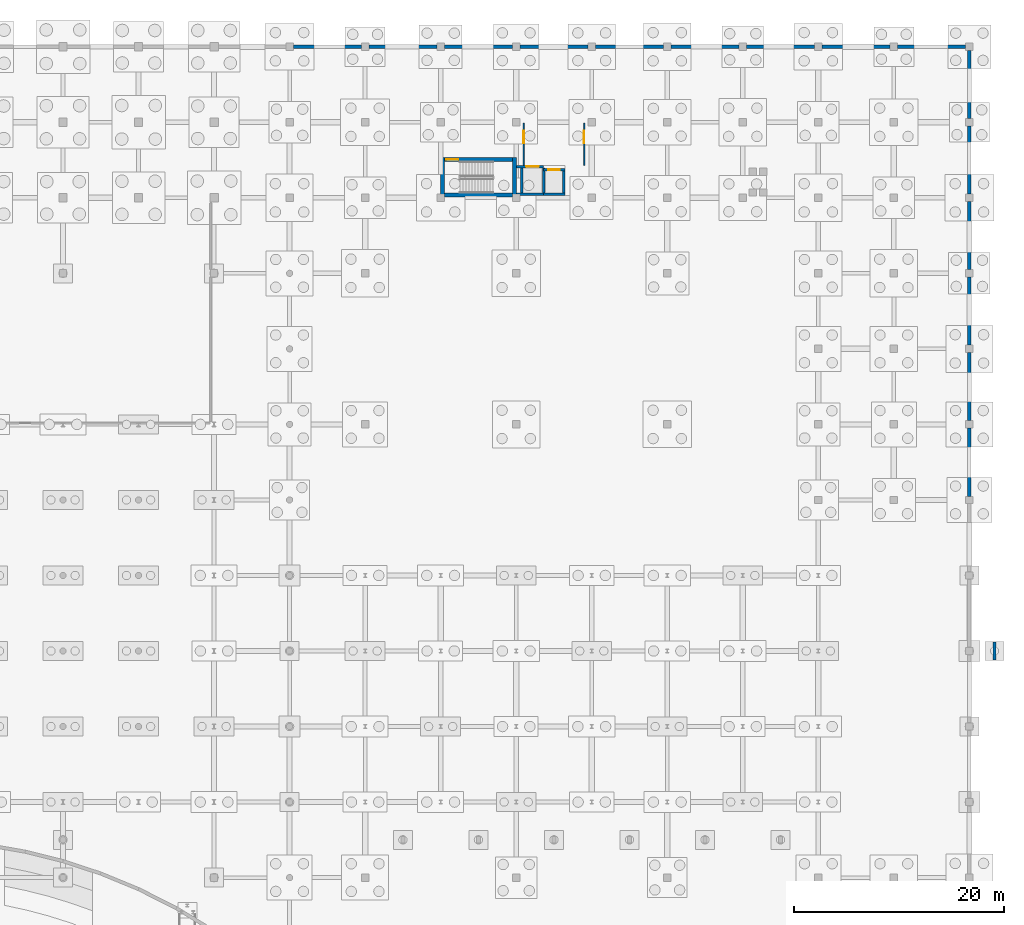
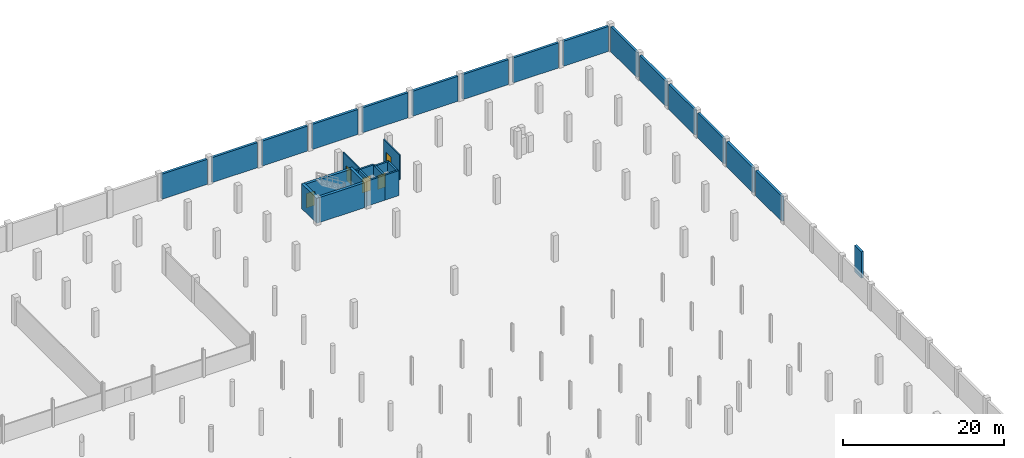
# One storey, part 46 of 56: 29 walls, 5 doors, 5 openings.
"""IFC4 building model written with IfcOpenShell, lengths in metres."""

from ifc_helpers import new_model, si_unit, direction, frame, frame_2d, origin, place, context, subcontext, project, spatial, rectangle, extrude, material, layer, layer_set, type_object, element, fill, save


model = new_model("IFC4")

# Units and contexts
model_context = context("Model", 3, precision=1e-05, world=origin(), true_north=direction((0.0, 1.0)))
body_context = subcontext(model_context, "Body", "Model", "MODEL_VIEW")
ifc_project = project(units=[si_unit("LENGTHUNIT", "METRE"), si_unit("AREAUNIT", "SQUARE_METRE"), si_unit("VOLUMEUNIT", "CUBIC_METRE"), si_unit("PLANEANGLEUNIT", "RADIAN"), si_unit("MASSUNIT", "GRAM", prefix="KILO")], contexts=[model_context])

# Site, building, storey
site_placement = place(None, origin())
site = spatial("IfcSite", under=ifc_project, at=site_placement, CompositionType="ELEMENT")
building_placement = place(site_placement, origin())
building = spatial("IfcBuilding", under=site, at=building_placement, Name="Suanplinth Sawtooth Commons", CompositionType="ELEMENT")
storey_placement = place(building_placement, frame((0.0, 0.0, -4.199951171875)))
storey = spatial("IfcBuildingStorey", under=building, at=storey_placement, Name="B1", CompositionType="ELEMENT", Elevation=-4.199951171875)

# Wall
ifc_material_1 = material(Name="Concrete C40/50", Category="concrete")
ifc_layer_1 = layer(ifc_material_1, 0.3798828125, Name="Lower high-rise RC core shear wall 380mm")
ifc_layer_set_1 = layer_set([ifc_layer_1], Name="Concrete C40/50")
wall_type_1 = type_object("IfcWallType", Name="W-CR01", PredefinedType="SHEAR", material=ifc_layer_set_1)
wall_1_placement = place(storey_placement, frame((137.14990234375, 108.260009765625, 0.0), z_axis=(0.0, 0.0, 1.0), x_axis=(1.0, 0.0, 0.0)))
element("IfcWall", 1, at=wall_1_placement, inside=storey, type_object=wall_type_1, Name="W-B1-C-B1-STS", PredefinedType="SHEAR", context=body_context, shape_type="SweptSolid", body=[
    extrude(rectangle(XDim=6.5, YDim=0.3798828125, at=frame_2d((3.25, 0.0))), origin(), (0.0, 0.0, 1.0), 3.7900390625),
])

# Wall, opening, door
wall_2_placement = place(storey_placement, frame((137.14990234375, 111.639892578125, 0.0), z_axis=(0.0, 0.0, 1.0), x_axis=(1.0, 0.0, 0.0)))
wall_2 = element("IfcWall", 2, at=wall_2_placement, inside=storey, type_object=wall_type_1, Name="W-B1-C-B1-STN", PredefinedType="SHEAR", context=body_context, shape_type="SweptSolid", body=[
    extrude(rectangle(XDim=6.5, YDim=0.3798828125, at=frame_2d((3.25, 0.0))), origin(), (0.0, 0.0, 1.0), 3.7900390625),
])
opening_1_placement = place(wall_2_placement, frame((0.179931640625, 0.0, 0.0)))
opening_1 = element("IfcOpeningElement", 3, at=opening_1_placement, cuts=wall_2, Name="Opening FD0154", PredefinedType="OPENING", context=body_context, shape_type="SweptSolid", body=[
    extrude(rectangle(XDim=1.14990234375, YDim=2.199951171875, at=frame_2d((0.574951171875, 1.10009765625))), frame((0.0, 0.204833984375, 0.0), z_axis=(0.0, -1.0, 0.0), x_axis=(1.0, 0.0, 0.0)), (0.0, 0.0, 1.0), 0.40966796875),
])
ifc_material_2 = material(Name="Teak hardwood fire-rated door assembly", Category="wood")
door_type_1 = type_object("IfcDoorType", Name="FD-01", OperationType="NOTDEFINED", PredefinedType="DOOR", material=ifc_material_2)
door_1_placement = place(opening_1_placement, frame((1.14990234375, 0.0, 0.0), z_axis=(0.0, 0.0, 1.0), x_axis=(-1.0, 0.0, 0.0)))
door_1 = element("IfcDoor", 4, at=door_1_placement, inside=storey, type_object=door_type_1, Name="Exit Stair Fire Door FD0154", OperationType="SINGLE_SWING_RIGHT", OverallHeight=2.199951171875, OverallWidth=1.14990234375, PredefinedType="DOOR", context=body_context, shape_type="SweptSolid", body=[
    extrude(rectangle(XDim=1.14990234375, YDim=2.199951171875, at=frame_2d((0.574951171875, 1.10009765625))), frame((0.0, 0.02490234375, 0.0), z_axis=(0.0, -1.0, 0.0), x_axis=(1.0, 0.0, 0.0)), (0.0, 0.0, 1.0), 0.050048828125),
])
fill(opening_1, door_1)

# Walls
for number, where, z_axis, x_axis, name in (
    (5, (136.9599609375, 108.070068359375, 0.0), (0.0, 0.0, 1.0), (0.0, 1.0, 0.0), "W-B1-C-B1-STW"),
    (6, (143.840087890625, 108.070068359375, 0.0), (0.0, 0.0, 1.0), (0.0, 1.0, 0.0), "W-B1-C-B1-STE"),
):
    element("IfcWall", number, at=place(storey_placement, frame(where, z_axis=z_axis, x_axis=x_axis)), inside=storey, type_object=wall_type_1, Name=name, PredefinedType="SHEAR", context=body_context, shape_type="SweptSolid", body=[
        extrude(rectangle(XDim=3.760009765625, YDim=0.3798828125, at=frame_2d((1.8798828125, 0.0))), origin(), (0.0, 0.0, 1.0), 3.7900390625),
    ])

# Wall, opening, door
ifc_material_3 = material(Name="Precast concrete C40/50", Category="concrete")
ifc_layer_2 = layer(ifc_material_3, 0.159912109375, Name="Fire-rated corridor and lobby wall 160mm")
ifc_layer_set_2 = layer_set([ifc_layer_2], Name="Precast concrete C40/50")
wall_type_2 = type_object("IfcWallType", Name="W-FW01", PredefinedType="PARTITIONING", material=ifc_layer_set_2)
wall_3_placement = place(storey_placement, frame((144.719970703125, 111.10009765625, 0.0), z_axis=(0.0, 0.0, 1.0), x_axis=(0.0, 1.0, 0.0)))
wall_3 = element("IfcWall", 7, at=wall_3_placement, inside=storey, type_object=wall_type_2, Name="W-B1-C-B1-LOB-W", PredefinedType="PARTITIONING", context=body_context, shape_type="SweptSolid", body=[
    extrude(rectangle(XDim=4.02001953125, YDim=0.159912109375, at=frame_2d((2.010009765625, 0.0))), origin(), (0.0, 0.0, 1.0), 3.7900390625),
])
opening_2_placement = place(wall_3_placement, frame((2.10009765625, 0.0, 0.0)))
opening_2 = element("IfcOpeningElement", 8, at=opening_2_placement, cuts=wall_3, Name="Opening FD0155", PredefinedType="OPENING", context=body_context, shape_type="SweptSolid", body=[
    extrude(rectangle(XDim=1.199951171875, YDim=2.199951171875, at=frame_2d((0.60009765625, 1.10009765625))), frame((0.0, 0.0947265625, 0.0), z_axis=(0.0, -1.0, 0.0), x_axis=(1.0, 0.0, 0.0)), (0.0, 0.0, 1.0), 0.189697265625),
])
door_type_2 = type_object("IfcDoorType", Name="FD-02", OperationType="NOTDEFINED", PredefinedType="DOOR", material=ifc_material_2)
door_2_placement = place(opening_2_placement, origin())
door_2 = element("IfcDoor", 9, at=door_2_placement, inside=storey, type_object=door_type_2, Name="Lobby Fire Door FD0155", OperationType="SINGLE_SWING_LEFT", OverallHeight=2.199951171875, OverallWidth=1.199951171875, PredefinedType="DOOR", context=body_context, shape_type="SweptSolid", body=[
    extrude(rectangle(XDim=1.199951171875, YDim=2.199951171875, at=frame_2d((0.60009765625, 1.10009765625))), frame((0.0, 0.02490234375, 0.0), z_axis=(0.0, -1.0, 0.0), x_axis=(1.0, 0.0, 0.0)), (0.0, 0.0, 1.0), 0.050048828125),
])
fill(opening_2, door_2)

wall_4_placement = place(storey_placement, frame((150.47998046875, 111.10009765625, 0.0), z_axis=(0.0, 0.0, 1.0), x_axis=(0.0, 1.0, 0.0)))
wall_4 = element("IfcWall", 10, at=wall_4_placement, inside=storey, type_object=wall_type_2, Name="W-B1-C-B1-LOB-E", PredefinedType="PARTITIONING", context=body_context, shape_type="SweptSolid", body=[
    extrude(rectangle(XDim=4.02001953125, YDim=0.159912109375, at=frame_2d((2.010009765625, 0.0))), origin(), (0.0, 0.0, 1.0), 3.7900390625),
])
opening_3_placement = place(wall_4_placement, frame((2.10009765625, 0.0, 0.0)))
opening_3 = element("IfcOpeningElement", 11, at=opening_3_placement, cuts=wall_4, Name="Opening FD0156", PredefinedType="OPENING", context=body_context, shape_type="SweptSolid", body=[
    extrude(rectangle(XDim=1.199951171875, YDim=2.199951171875, at=frame_2d((0.60009765625, 1.10009765625))), frame((0.0, 0.0947265625, 0.0), z_axis=(0.0, -1.0, 0.0), x_axis=(1.0, 0.0, 0.0)), (0.0, 0.0, 1.0), 0.189697265625),
])
door_3_placement = place(opening_3_placement, frame((1.199951171875, 0.0, 0.0), z_axis=(0.0, 0.0, 1.0), x_axis=(-1.0, 0.0, 0.0)))
door_3 = element("IfcDoor", 12, at=door_3_placement, inside=storey, type_object=door_type_2, Name="Lobby Fire Door FD0156", OperationType="SINGLE_SWING_RIGHT", OverallHeight=2.199951171875, OverallWidth=1.199951171875, PredefinedType="DOOR", context=body_context, shape_type="SweptSolid", body=[
    extrude(rectangle(XDim=1.199951171875, YDim=2.199951171875, at=frame_2d((0.60009765625, 1.10009765625))), frame((0.0, 0.02490234375, 0.0), z_axis=(0.0, -1.0, 0.0), x_axis=(1.0, 0.0, 0.0)), (0.0, 0.0, 1.0), 0.050048828125),
])
fill(opening_3, door_3)

# Walls
ifc_material_4 = material(Name="Concrete C35/45", Category="concrete")
ifc_layer_3 = layer(ifc_material_4, 0.35009765625, Name="Basement perimeter RC retaining wall 350mm")
ifc_layer_set_3 = layer_set([ifc_layer_3], Name="Concrete C35/45")
wall_type_3 = type_object("IfcWallType", Name="W-RT01", PredefinedType="SOLIDWALL", material=ifc_layer_set_3)
for number, where, z_axis, x_axis, name in (
    (13, (122.75, 122.39990234375, 0.0), (0.0, 0.0, 1.0), (1.0, 0.0, 0.0), "Basement North Retaining Wall Bay 18"),
    (14, (129.949951171875, 122.39990234375, 0.0), (0.0, 0.0, 1.0), (1.0, 0.0, 0.0), "Basement North Retaining Wall Bay 19"),
    (15, (137.14990234375, 122.39990234375, 0.0), (0.0, 0.0, 1.0), (1.0, 0.0, 0.0), "Basement North Retaining Wall Bay 20"),
    (16, (144.35009765625, 122.39990234375, 0.0), (0.0, 0.0, 1.0), (1.0, 0.0, 0.0), "Basement North Retaining Wall Bay 21"),
    (17, (151.550048828125, 122.39990234375, 0.0), (0.0, 0.0, 1.0), (1.0, 0.0, 0.0), "Basement North Retaining Wall Bay 22"),
    (18, (158.75, 122.39990234375, 0.0), (0.0, 0.0, 1.0), (1.0, 0.0, 0.0), "Basement North Retaining Wall Bay 23"),
    (19, (165.949951171875, 122.39990234375, 0.0), (0.0, 0.0, 1.0), (1.0, 0.0, 0.0), "Basement North Retaining Wall Bay 24"),
    (20, (173.14990234375, 122.39990234375, 0.0), (0.0, 0.0, 1.0), (1.0, 0.0, 0.0), "Basement North Retaining Wall Bay 25"),
    (21, (180.35009765625, 122.39990234375, 0.0), (0.0, 0.0, 1.0), (1.0, 0.0, 0.0), "Basement North Retaining Wall Bay 26"),
    (22, (187.199951171875, 79.550048828125, 0.0), (0.0, 0.0, 1.0), (0.0, 1.0, 0.0), "Basement East Plinth Retaining Wall Bay 12"),
    (23, (187.199951171875, 86.75, 0.0), (0.0, 0.0, 1.0), (0.0, 1.0, 0.0), "Basement East Plinth Retaining Wall Bay 13"),
    (24, (187.199951171875, 93.949951171875, 0.0), (0.0, 0.0, 1.0), (0.0, 1.0, 0.0), "Basement East Plinth Retaining Wall Bay 14"),
    (25, (187.199951171875, 101.14990234375, 0.0), (0.0, 0.0, 1.0), (0.0, 1.0, 0.0), "Basement East Plinth Retaining Wall Bay 15"),
    (26, (187.199951171875, 108.35009765625, 0.0), (0.0, 0.0, 1.0), (0.0, 1.0, 0.0), "Basement East Plinth Retaining Wall Bay 16"),
    (27, (187.199951171875, 115.550048828125, 0.0), (0.0, 0.0, 1.0), (0.0, 1.0, 0.0), "Basement East Plinth Retaining Wall Bay 17"),
):
    element("IfcWall", number, at=place(storey_placement, frame(where, z_axis=z_axis, x_axis=x_axis)), inside=storey, type_object=wall_type_3, Name=name, PredefinedType="SOLIDWALL", context=body_context, shape_type="SweptSolid", body=[
        extrude(rectangle(XDim=6.5, YDim=0.35009765625, at=frame_2d((3.25, 0.0))), origin(), (0.0, 0.0, 1.0), 3.800048828125),
    ])
ifc_layer_4 = layer(ifc_material_4, 0.300048828125, Name="Sunken forecourt & plinth skirt RC wall 300mm")
ifc_layer_set_4 = layer_set([ifc_layer_4], Name="Concrete C35/45")
wall_type_4 = type_object("IfcWallType", Name="W-RT02", PredefinedType="SOLIDWALL", material=ifc_layer_set_4)
wall_5_placement = place(storey_placement, frame((189.60009765625, 63.949951171875, 0.0), z_axis=(0.0, 0.0, 1.0), x_axis=(0.0, 1.0, 0.0)))
element("IfcWall", 28, at=wall_5_placement, inside=storey, type_object=wall_type_4, Name="Threshold Ramp Toe Abutment Wall AR-04", PredefinedType="SOLIDWALL", context=body_context, shape_type="SweptSolid", body=[
    extrude(rectangle(XDim=1.699951171875, YDim=0.300048828125, at=frame_2d((0.85009765625, 0.0))), origin(), (0.0, 0.0, 1.0), 4.0),
])
ifc_layer_5 = layer(ifc_material_3, 0.25, Name="Precast structural shear wall 250mm")
ifc_layer_set_5 = layer_set([ifc_layer_5], Name="Precast concrete C40/50")
wall_type_5 = type_object("IfcWallType", Name="W-SH01", PredefinedType="SHEAR", material=ifc_layer_set_5)
wall_6_placement = place(storey_placement, frame((144.030029296875, 108.324951171875, 0.0), z_axis=(0.0, 0.0, 1.0), x_axis=(1.0, 0.0, 0.0)))
element("IfcWall", 29, at=wall_6_placement, inside=storey, type_object=wall_type_5, Name="W-B1-FL2-S", PredefinedType="SHEAR", context=body_context, shape_type="SweptSolid", body=[
    extrude(rectangle(XDim=2.594970703125, YDim=0.25, at=frame_2d((1.29736328125, 0.0))), origin(), (0.0, 0.0, 1.0), 3.7900390625),
])

# Wall, opening, door
wall_7_placement = place(storey_placement, frame((144.030029296875, 110.97509765625, 0.0), z_axis=(0.0, 0.0, 1.0), x_axis=(1.0, 0.0, 0.0)))
wall_7 = element("IfcWall", 30, at=wall_7_placement, inside=storey, type_object=wall_type_5, Name="W-B1-FL2-N", PredefinedType="SHEAR", context=body_context, shape_type="SweptSolid", body=[
    extrude(rectangle(XDim=2.594970703125, YDim=0.25, at=frame_2d((1.29736328125, 0.0))), origin(), (0.0, 0.0, 1.0), 3.7900390625),
])
opening_4_placement = place(wall_7_placement, frame((0.919921875, 0.0, 0.0)))
opening_4 = element("IfcOpeningElement", 31, at=opening_4_placement, cuts=wall_7, Name="Opening LD0157", PredefinedType="OPENING", context=body_context, shape_type="SweptSolid", body=[
    extrude(rectangle(XDim=1.199951171875, YDim=2.25, at=frame_2d((0.60009765625, 1.125))), frame((0.0, 0.139892578125, 0.0), z_axis=(0.0, -1.0, 0.0), x_axis=(1.0, 0.0, 0.0)), (0.0, 0.0, 1.0), 0.27978515625),
])
ifc_material_5 = material(Name="Stainless steel Grade 304", Category="steel")
door_type_3 = type_object("IfcDoorType", Name="LD-02", OperationType="SLIDING_TO_LEFT", PredefinedType="DOOR", material=ifc_material_5)
door_4_placement = place(opening_4_placement, origin())
door_4 = element("IfcDoor", 32, at=door_4_placement, inside=storey, type_object=door_type_3, Name="Lift Landing Sliding Door FL2 B1", OperationType="SLIDING_TO_LEFT", OverallHeight=2.25, OverallWidth=1.199951171875, PredefinedType="DOOR", context=body_context, shape_type="SweptSolid", body=[
    extrude(rectangle(XDim=1.199951171875, YDim=2.25, at=frame_2d((0.60009765625, 1.125))), frame((0.0, 0.02490234375, 0.0), z_axis=(0.0, -1.0, 0.0), x_axis=(1.0, 0.0, 0.0)), (0.0, 0.0, 1.0), 0.050048828125),
])
fill(opening_4, door_4)

# Walls
for number, where, z_axis, x_axis, name in (
    (33, (144.52490234375, 108.449951171875, 0.0), (0.0, 0.0, 1.0), (0.0, 1.0, 0.0), "W-B1-FL2-W"),
    (34, (146.625, 108.449951171875, 0.0), (0.0, 0.0, 1.0), (0.0, 1.0, 0.0), "W-B1-FL2-DIV"),
):
    element("IfcWall", number, at=place(storey_placement, frame(where, z_axis=z_axis, x_axis=x_axis)), inside=storey, type_object=wall_type_5, Name=name, PredefinedType="SHEAR", context=body_context, shape_type="SweptSolid", body=[
        extrude(rectangle(XDim=2.400146484375, YDim=0.25, at=frame_2d((1.2001953125, 0.0))), origin(), (0.0, 0.0, 1.0), 3.7900390625),
    ])
wall_8_placement = place(storey_placement, frame((146.625, 108.324951171875, 0.0), z_axis=(0.0, 0.0, 1.0), x_axis=(1.0, 0.0, 0.0)))
element("IfcWall", 35, at=wall_8_placement, inside=storey, type_object=wall_type_5, Name="W-B1-LF3-S", PredefinedType="SHEAR", context=body_context, shape_type="SweptSolid", body=[
    extrude(rectangle(XDim=2.02490234375, YDim=0.25, at=frame_2d((1.012451171875, 0.0))), origin(), (0.0, 0.0, 1.0), 3.7900390625),
])

# Wall, opening, door
wall_9_placement = place(storey_placement, frame((146.625, 110.675048828125, 0.0), z_axis=(0.0, 0.0, 1.0), x_axis=(1.0, 0.0, 0.0)))
wall_9 = element("IfcWall", 36, at=wall_9_placement, inside=storey, type_object=wall_type_5, Name="W-B1-LF3-N", PredefinedType="SHEAR", context=body_context, shape_type="SweptSolid", body=[
    extrude(rectangle(XDim=2.02490234375, YDim=0.25, at=frame_2d((1.012451171875, 0.0))), origin(), (0.0, 0.0, 1.0), 3.7900390625),
])
opening_5_placement = place(wall_9_placement, frame((0.425048828125, 0.0, 0.0)))
opening_5 = element("IfcOpeningElement", 37, at=opening_5_placement, cuts=wall_9, Name="Opening LD0158", PredefinedType="OPENING", context=body_context, shape_type="SweptSolid", body=[
    extrude(rectangle(XDim=1.10009765625, YDim=2.14990234375, at=frame_2d((0.550048828125, 1.074951171875))), frame((0.0, 0.139892578125, 0.0), z_axis=(0.0, -1.0, 0.0), x_axis=(1.0, 0.0, 0.0)), (0.0, 0.0, 1.0), 0.27978515625),
])
door_type_4 = type_object("IfcDoorType", Name="LD-01", OperationType="SLIDING_TO_LEFT", PredefinedType="DOOR", material=ifc_material_5)
door_5_placement = place(opening_5_placement, origin())
door_5 = element("IfcDoor", 38, at=door_5_placement, inside=storey, type_object=door_type_4, Name="Lift Landing Sliding Door LF3 B1", OperationType="SLIDING_TO_LEFT", OverallHeight=2.14990234375, OverallWidth=1.10009765625, PredefinedType="DOOR", context=body_context, shape_type="SweptSolid", body=[
    extrude(rectangle(XDim=1.10009765625, YDim=2.14990234375, at=frame_2d((0.550048828125, 1.074951171875))), frame((0.0, 0.02490234375, 0.0), z_axis=(0.0, -1.0, 0.0), x_axis=(1.0, 0.0, 0.0)), (0.0, 0.0, 1.0), 0.050048828125),
])
fill(opening_5, door_5)

# Wall
wall_10_placement = place(storey_placement, frame((148.52490234375, 108.449951171875, 0.0), z_axis=(0.0, 0.0, 1.0), x_axis=(0.0, 1.0, 0.0)))
element("IfcWall", 39, at=wall_10_placement, inside=storey, type_object=wall_type_5, Name="W-B1-LF3-E", PredefinedType="SHEAR", context=body_context, shape_type="SweptSolid", body=[
    extrude(rectangle(XDim=2.10009765625, YDim=0.25, at=frame_2d((1.050048828125, 0.0))), origin(), (0.0, 0.0, 1.0), 3.7900390625),
])

save(model, "model.ifc")
